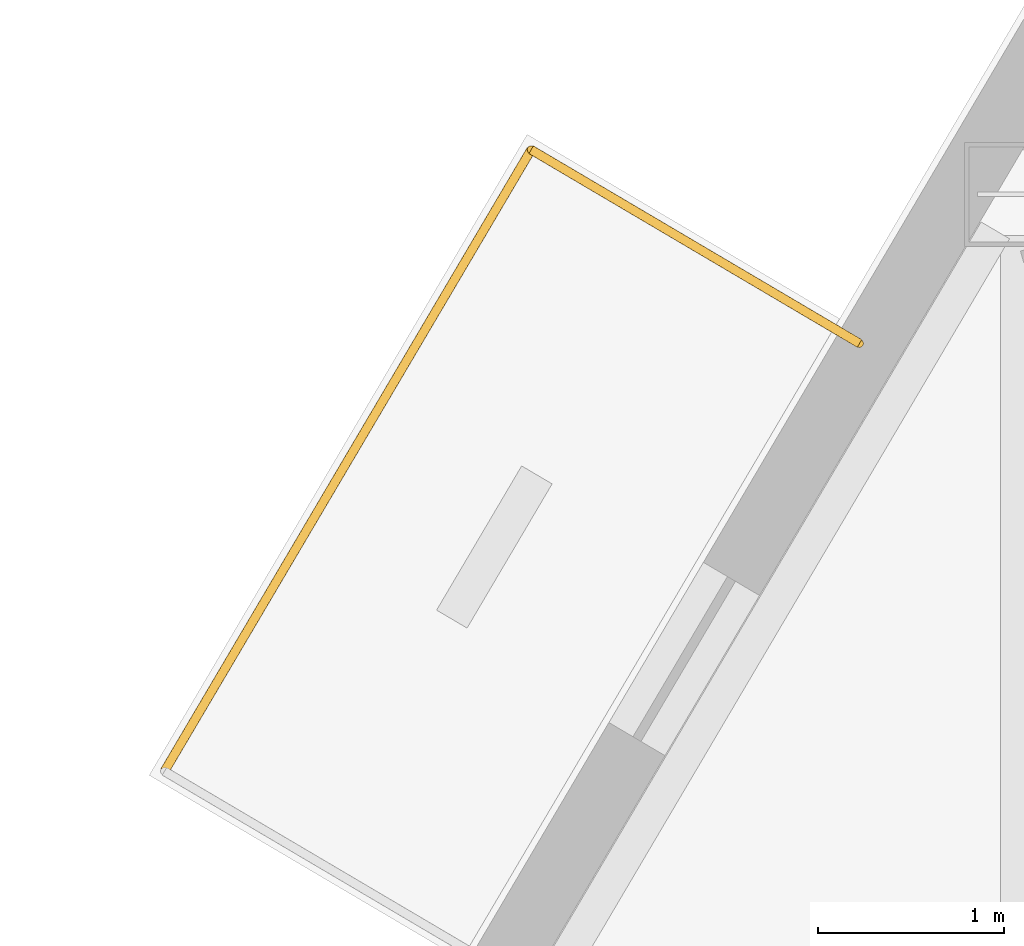
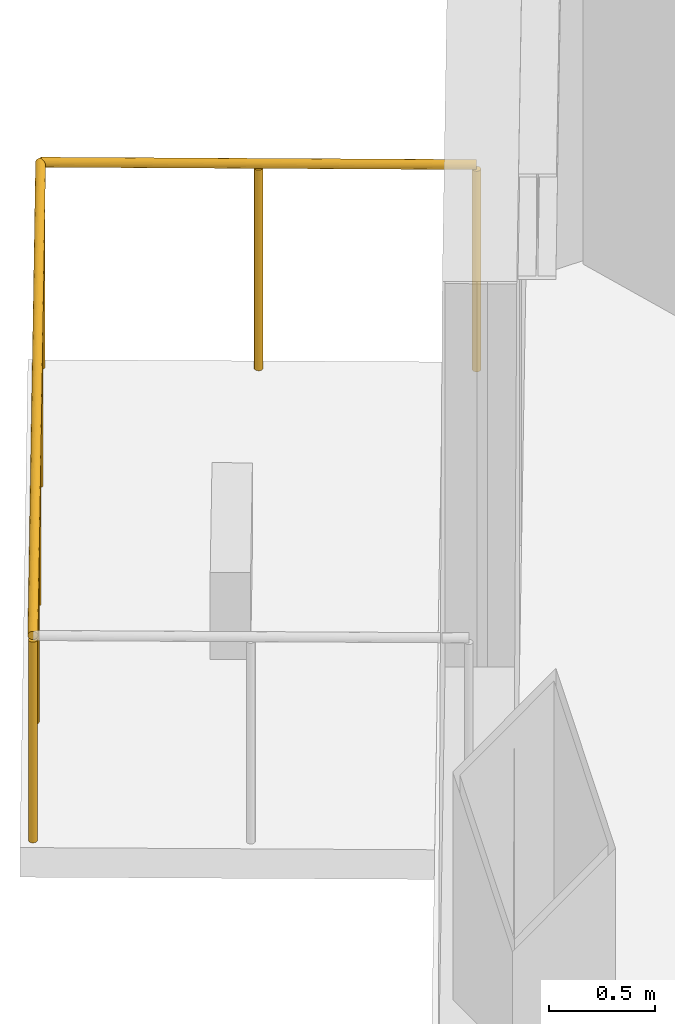
# One storey, part 11 of 11: 2 railings.
"""IFC4 building model written with IfcOpenShell, lengths in metres."""

from ifc_helpers import new_model, si_unit, direction, frame, origin, origin_2d, place, context, subcontext, project, spatial, circle, extrude, material, type_object, element, save


model = new_model("IFC4")

# Units and contexts
model_context = context("Model", 3, precision=1e-05, world=origin(), true_north=direction((0.0, 1.0)))
body_context = subcontext(model_context, "Body", "Model", "MODEL_VIEW")
ifc_project = project(units=[si_unit("LENGTHUNIT", "METRE"), si_unit("AREAUNIT", "SQUARE_METRE"), si_unit("VOLUMEUNIT", "CUBIC_METRE"), si_unit("PLANEANGLEUNIT", "RADIAN"), si_unit("MASSUNIT", "GRAM", prefix="KILO")], contexts=[model_context])

# Site, building, storey
site_placement = place(None, origin())
site = spatial("IfcSite", under=ifc_project, at=site_placement, CompositionType="ELEMENT")
building_placement = place(site_placement, origin())
building = spatial("IfcBuilding", under=site, at=building_placement, Name="Kavelnor Concourse Tower", CompositionType="ELEMENT")
storey_placement = place(building_placement, frame((0.0, 0.0, 285.699951171875)))
storey = spatial("IfcBuildingStorey", under=building, at=storey_placement, Name="L72", CompositionType="ELEMENT", Elevation=285.699951171875)

# Railings
ifc_material = material(Name="Architectural bronze-anodised aluminium", Category="aluminium")
railing_type = type_object("IfcRailingType", Name="RLG-TERRACE-1200", PredefinedType="BALUSTRADE", material=ifc_material)
railing_1_placement = place(storey_placement, frame((31.047119140625, 36.990478515625, 0.0)))
element("IfcRailing", 1, at=railing_1_placement, inside=storey, type_object=railing_type, Name="L72 Tree Balcony 1 Guardrail L", PredefinedType="BALUSTRADE", context=body_context, shape_type="SweptSolid", body=[
    extrude(circle(Radius=0.02392578125, at=origin_2d()), frame((0.0, 0.0, 1.17578125), z_axis=(-0.86131512276, 0.508071116385, 0.0), x_axis=(-0.508071116385, -0.86131512276, 0.0)), (0.0, 0.0, 1.0), 2.0498046875),
    extrude(circle(Radius=0.02099609375, at=origin_2d()), origin(), (0.0, 0.0, 1.0), 1.15185546875),
    extrude(circle(Radius=0.02099609375, at=origin_2d()), frame((-0.8828125, 0.520751953125, 0.0)), (0.0, 0.0, 1.0), 1.15185546875),
    extrude(circle(Radius=0.02099609375, at=origin_2d()), frame((-1.765625, 1.04150390625, 0.0)), (0.0, 0.0, 1.0), 1.15185546875),
])
railing_2_placement = place(storey_placement, frame((29.281494140625, 38.031982421875, 0.0)))
element("IfcRailing", 2, at=railing_2_placement, inside=storey, type_object=railing_type, Name="L72 Tree Balcony 1 Guardrail F", PredefinedType="BALUSTRADE", context=body_context, shape_type="SweptSolid", body=[
    extrude(circle(Radius=0.02392578125, at=origin_2d()), frame((0.0, 0.0, 1.17578125), z_axis=(-0.508059239271, -0.861322128702, 0.0), x_axis=(0.861322128702, -0.508059239271, 0.0)), (0.0, 0.0, 1.0), 3.8798828125),
    extrude(circle(Radius=0.02099609375, at=origin_2d()), origin(), (0.0, 0.0, 1.0), 1.15185546875),
    extrude(circle(Radius=0.02099609375, at=origin_2d()), frame((-0.49267578125, -0.83544921875, 0.0)), (0.0, 0.0, 1.0), 1.15185546875),
    extrude(circle(Radius=0.02099609375, at=origin_2d()), frame((-0.985595703125, -1.6708984375, 0.0)), (0.0, 0.0, 1.0), 1.15185546875),
    extrude(circle(Radius=0.02099609375, at=origin_2d()), frame((-1.478515625, -2.50634765625, 0.0)), (0.0, 0.0, 1.0), 1.15185546875),
    extrude(circle(Radius=0.02099609375, at=origin_2d()), frame((-1.97119140625, -3.341796875, 0.0)), (0.0, 0.0, 1.0), 1.15185546875),
])

save(model, "model.ifc")
